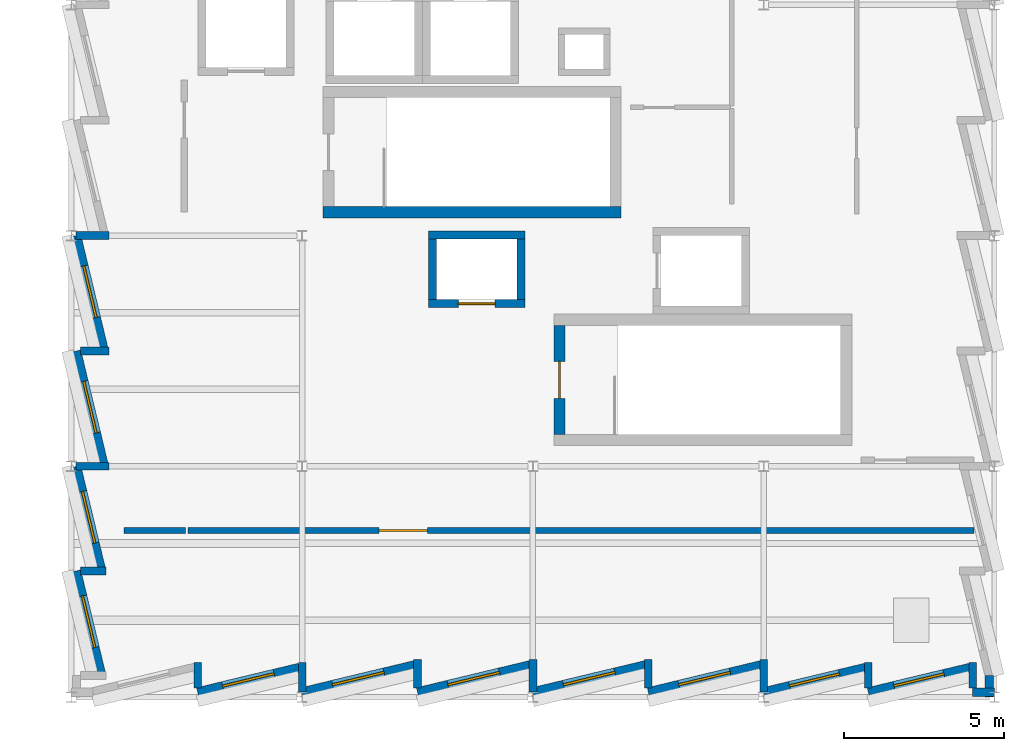
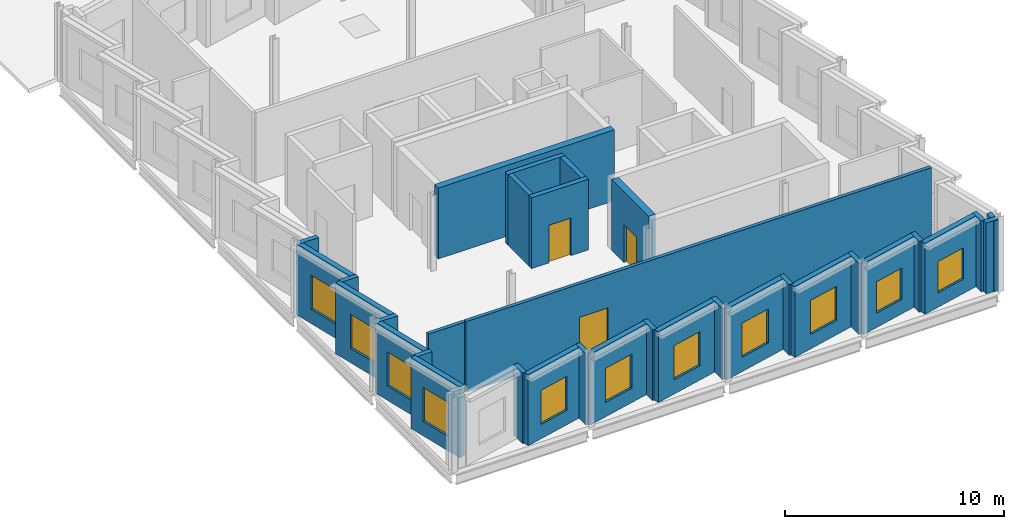
# One storey, part 5 of 9: 33 walls, 11 windows, 3 doors, 14 openings.
"""IFC4 building model written with IfcOpenShell, lengths in metres."""

import ifcopenshell
import ifcopenshell.guid

model = None  # the IFC model being written
_history = None  # IfcOwnerHistory: only IFC2X3 demands one
_inside = {}  # id of a spatial element -> (the spatial element, [elements in it])
_under = {}  # id of a project, library or spatial element -> (it, [spatial elements below it])
_declared = {}  # id of a project -> (the project, [libraries it declares])
_typed = {}  # id of a type object -> (the type object, [elements of that type])
_made_of = {}  # id of a material, layer set ... -> (it, [elements and type objects made of it])


def new_model(schema):
    """Start an empty IFC model of exactly this schema.

    Asked for "IFC4X3", IfcOpenShell would pick the latest addendum, in which some entities
    have other attributes; the version numbers below select the first issue.
    IFC2X3 requires an IfcOwnerHistory on every rooted entity: one is made here for all.
    """
    global model, _history
    if schema == "IFC4X3":
        model = ifcopenshell.file(schema_version=(4, 3, 0, 0))
    else:
        model = ifcopenshell.file(schema=schema)
    _inside.clear()
    _under.clear()
    _declared.clear()
    _typed.clear()
    _made_of.clear()
    _history = None
    if model.schema == "IFC2X3":
        org = make("IfcOrganization", Name="unknown")
        user = make(
            "IfcPersonAndOrganization",
            ThePerson=make("IfcPerson", FamilyName="unknown"),
            TheOrganization=org,
        )
        app = make(
            "IfcApplication",
            ApplicationDeveloper=org,
            Version="unknown",
            ApplicationFullName="unknown",
            ApplicationIdentifier="unknown",
        )
        _history = make(
            "IfcOwnerHistory",
            OwningUser=user,
            OwningApplication=app,
            ChangeAction="ADDED",
            CreationDate=0,
        )
    return model


def make(cls, **values):
    """One entity of the class cls with the attributes given. An attribute that is None is left unset."""
    return model.create_entity(
        cls, **{name: value for name, value in values.items() if value is not None}
    )


def rooted(cls, **values):
    """An entity with a GlobalId (a new one), such as an element, a storey or a relation."""
    return make(cls, GlobalId=ifcopenshell.guid.new(), OwnerHistory=_history, **values)


def si_unit(unit_type, name, prefix=None):
    """IfcSIUnit, for example si_unit("LENGTHUNIT", "METRE", prefix="MILLI")."""
    return make("IfcSIUnit", UnitType=unit_type, Prefix=prefix, Name=name)


def assignment(units):
    """IfcUnitAssignment: the units of a project."""
    return None if units is None else make("IfcUnitAssignment", Units=units)


def point(xyz):
    """IfcCartesianPoint."""
    return None if xyz is None else make("IfcCartesianPoint", Coordinates=xyz)


def direction(xyz):
    """IfcDirection."""
    return None if xyz is None else make("IfcDirection", DirectionRatios=xyz)


def frame(location, z_axis=None, x_axis=None):
    """IfcAxis2Placement3D, a coordinate frame: its origin and axes. An axis left out is left unset."""
    return make(
        "IfcAxis2Placement3D",
        Location=point(location),
        Axis=direction(z_axis),
        RefDirection=direction(x_axis),
    )


def frame_2d(location, x_axis=None):
    """IfcAxis2Placement2D, a coordinate frame in the plane: its origin and x axis."""
    return make(
        "IfcAxis2Placement2D", Location=point(location), RefDirection=direction(x_axis)
    )


def origin():
    """The frame at (0, 0, 0) with its axes left unset."""
    return frame((0.0, 0.0, 0.0))


def place(relative_to, where):
    """IfcLocalPlacement: puts the frame where relative to a parent placement (None: the world)."""
    return make(
        "IfcLocalPlacement", PlacementRelTo=relative_to, RelativePlacement=where
    )


def context(
    kind, dimensions, precision=None, world=None, true_north=None, identifier=None
):
    """IfcGeometricRepresentationContext, for example the 3D "Model" context."""
    return make(
        "IfcGeometricRepresentationContext",
        ContextIdentifier=identifier,
        ContextType=kind,
        CoordinateSpaceDimension=dimensions,
        Precision=precision,
        WorldCoordinateSystem=world,
        TrueNorth=true_north,
    )


def subcontext(parent, identifier, kind, view, scale=None):
    """IfcGeometricRepresentationSubContext, for example "Body" below "Model"."""
    return make(
        "IfcGeometricRepresentationSubContext",
        ContextIdentifier=identifier,
        ContextType=kind,
        ParentContext=parent,
        TargetScale=scale,
        TargetView=view,
    )


def project(units=None, contexts=None):
    """IfcProject with its units and contexts."""
    return rooted(
        "IfcProject",
        Name="project",
        RepresentationContexts=contexts,
        UnitsInContext=assignment(units),
    )


def spatial(cls, under=None, at=None, **own):
    """A site, building, storey or space (cls), placed at a placement, below another one or the project."""
    s = rooted(cls, ObjectPlacement=at, **own)
    if under is not None:
        _under.setdefault(under.id(), (under, []))[1].append(s)
    return s


def profile(cls, at=None, kind="AREA", **sizes):
    """A parametric profile (cls). Its sizes go by their IFC names, for example OverallWidth=200.0."""
    return make(cls, ProfileType=kind, Position=at, **sizes)


def rectangle(**sizes):
    """IfcRectangleProfileDef."""
    return profile("IfcRectangleProfileDef", **sizes)


def extrude(swept, where, along, depth):
    """IfcExtrudedAreaSolid: the profile swept, set in the frame where, extruded along a direction by depth."""
    return make(
        "IfcExtrudedAreaSolid",
        SweptArea=swept,
        Position=where,
        ExtrudedDirection=direction(along),
        Depth=depth,
    )


def shape(context_of_items, identifier, shape_type, items):
    """IfcShapeRepresentation: the items that make up one representation, for example the "Body"."""
    return make(
        "IfcShapeRepresentation",
        ContextOfItems=context_of_items,
        RepresentationIdentifier=identifier,
        RepresentationType=shape_type,
        Items=items,
    )


def material(Name=None, Category=None):
    """IfcMaterial."""
    return make("IfcMaterial", Name=Name, Category=Category)


def layer(
    of_material, thickness, ventilated=None, Name=None, Category=None, Priority=None
):
    """IfcMaterialLayer: one layer of a wall or slab, of a material (None: an air gap)."""
    return make(
        "IfcMaterialLayer",
        Material=of_material,
        LayerThickness=thickness,
        IsVentilated=ventilated,
        Name=Name,
        Category=Category,
        Priority=Priority,
    )


def layer_set(layers, Name=None):
    """IfcMaterialLayerSet."""
    return make("IfcMaterialLayerSet", MaterialLayers=layers, LayerSetName=Name)


def made_of(thing, what):
    """Note that an element or type object is made of a material, layer set ...; save() writes the relation."""
    if what is not None:
        _made_of.setdefault(what.id(), (what, []))[1].append(thing)
    return thing


def type_object(cls, material=None, **own):
    """A type object (cls), such as IfcWallType, which elements share."""
    return made_of(rooted(cls, **own), material)


def element(
    cls,
    number,
    at=None,
    inside=None,
    cuts=None,
    type_object=None,
    material=None,
    context=None,
    identifier="Body",
    shape_type=None,
    held_by="IfcProductDefinitionShape",
    body=None,
    shapes=None,
    **own,
):
    """One element of the class cls, such as IfcWall. Its Tag is "e" and its number.

    at: its placement. inside: the storey or other place that contains it. cuts: it is an
    opening in that element (IfcRelVoidsElement). A single representation is given by context,
    identifier, shape_type and body (its items); several are given by shapes. held_by: the class
    of the entity that holds the representations. save() writes the other relations.
    """
    e = rooted(cls, Tag="e%d" % number, ObjectPlacement=at, **own)
    if body is not None:
        shapes = [shape(context, identifier, shape_type, body)]
    if shapes is not None:
        e.Representation = make(held_by, Representations=shapes)
    if inside is not None:
        _inside.setdefault(inside.id(), (inside, []))[1].append(e)
    if cuts is not None:
        rooted(
            "IfcRelVoidsElement", RelatingBuildingElement=cuts, RelatedOpeningElement=e
        )
    if type_object is not None:
        _typed.setdefault(type_object.id(), (type_object, []))[1].append(e)
    return made_of(e, material)


def fill(opening, filler):
    """IfcRelFillsElement: the door or window that sits in an opening."""
    return rooted(
        "IfcRelFillsElement",
        RelatingOpeningElement=opening,
        RelatedBuildingElement=filler,
    )


def aggregate(whole, parts):
    """IfcRelAggregates: a whole, such as a stair, and the parts it consists of."""
    return rooted("IfcRelAggregates", RelatingObject=whole, RelatedObjects=parts)


def save(model, path):
    """Write the relations noted so far, then the file.

    IfcRelAggregates (storeys below a building ...), IfcRelContainedInSpatialStructure (elements
    in a storey), IfcRelDefinesByType, IfcRelAssociatesMaterial and IfcRelDeclares: one each for
    every whole, place, type object, material and project.
    """
    for whole, parts in _under.values():
        aggregate(whole, parts)
    for where, things in _inside.values():
        rooted(
            "IfcRelContainedInSpatialStructure",
            RelatedElements=things,
            RelatingStructure=where,
        )
    for kind, things in _typed.values():
        rooted("IfcRelDefinesByType", RelatedObjects=things, RelatingType=kind)
    for what, things in _made_of.values():
        rooted("IfcRelAssociatesMaterial", RelatedObjects=things, RelatingMaterial=what)
    for by, libraries in _declared.values():
        rooted("IfcRelDeclares", RelatingContext=by, RelatedDefinitions=libraries)
    model.write(path)


model = new_model("IFC4")

# Units and contexts
model_context = context("Model", 3, precision=1e-05, world=origin(), true_north=direction((0.0, 1.0)))
body_context = subcontext(model_context, "Body", "Model", "MODEL_VIEW")
ifc_project = project(units=[si_unit("LENGTHUNIT", "METRE"), si_unit("AREAUNIT", "SQUARE_METRE"), si_unit("VOLUMEUNIT", "CUBIC_METRE"), si_unit("PLANEANGLEUNIT", "RADIAN"), si_unit("MASSUNIT", "GRAM", prefix="KILO")], contexts=[model_context])

# Site, building, storey
site_placement = place(None, origin())
site = spatial("IfcSite", under=ifc_project, at=site_placement, CompositionType="ELEMENT")
building_placement = place(site_placement, origin())
building = spatial("IfcBuilding", under=site, at=building_placement, Name="Kalmorath City Hall", CompositionType="ELEMENT")
storey_placement = place(building_placement, frame((0.0, 0.0, 31.050048828125)))
storey = spatial("IfcBuildingStorey", under=building, at=storey_placement, Name="L07", CompositionType="ELEMENT", Elevation=31.050048828125)

# Wall
ifc_material_1 = material(Name="Concrete C50/60", Category="concrete")
ifc_layer_1 = layer(ifc_material_1, 0.35009765625)
ifc_layer_set_1 = layer_set([ifc_layer_1], Name="Concrete C50/60")
wall_type_1 = type_object("IfcWallType", Name="Concrete core shear wall 350", PredefinedType="SHEAR", material=ifc_layer_set_1)
wall_1_placement = place(storey_placement, frame((7.85009765625, 15.125, 0.0), z_axis=(0.0, 0.0, 1.0), x_axis=(1.0, 0.0, 0.0)))
element("IfcWall", 1, at=wall_1_placement, inside=storey, type_object=wall_type_1, Name="L07 C1 stair core shear wall S", PredefinedType="SHEAR", context=body_context, shape_type="SweptSolid", body=[
    extrude(rectangle(XDim=9.2998046875, YDim=0.35009765625, at=frame_2d((4.64990234375, 0.0))), origin(), (0.0, 0.0, 1.0), 3.949951171875),
])

# Wall, opening, door
wall_2_placement = place(storey_placement, frame((15.22509765625, 11.60009765625, 0.0), z_axis=(0.0, 0.0, 1.0), x_axis=(0.0, -1.0, 0.0)))
wall_2 = element("IfcWall", 2, at=wall_2_placement, inside=storey, type_object=wall_type_1, Name="L07 C2 stair core shear wall W", PredefinedType="SHEAR", context=body_context, shape_type="SweptSolid", body=[
    extrude(rectangle(XDim=3.400146484375, YDim=0.35009765625, at=frame_2d((1.7001953125, 0.0))), origin(), (0.0, 0.0, 1.0), 3.949951171875),
])
opening_1_placement = place(wall_2_placement, frame((1.125, 0.0, 0.0)))
opening_1 = element("IfcOpeningElement", 3, at=opening_1_placement, cuts=wall_2, Name="Opening D-L07-045", PredefinedType="OPENING", context=body_context, shape_type="SweptSolid", body=[
    extrude(rectangle(XDim=1.14990234375, YDim=2.10009765625, at=frame_2d((0.574951171875, 1.050048828125))), frame((0.0, 0.18505859375, 0.0), z_axis=(0.0, -1.0, 0.0), x_axis=(1.0, 0.0, 0.0)), (0.0, 0.0, 1.0), 0.3701171875),
])
ifc_material_2 = material(Name="Galvanised steel fire door", Category="steel")
door_type_1 = type_object("IfcDoorType", Name="Stair enclosure 90-min fire door 1150x2100", OperationType="NOTDEFINED", PredefinedType="DOOR", material=ifc_material_2)
door_1_placement = place(opening_1_placement, frame((1.14990234375, 0.0, 0.0), z_axis=(0.0, 0.0, 1.0), x_axis=(-1.0, 0.0, 0.0)))
door_1 = element("IfcDoor", 4, at=door_1_placement, inside=storey, type_object=door_type_1, Name="L07 door D-L07-045", OperationType="SINGLE_SWING_LEFT", OverallHeight=2.10009765625, OverallWidth=1.14990234375, PredefinedType="DOOR", context=body_context, shape_type="SweptSolid", body=[
    extrude(rectangle(XDim=1.14990234375, YDim=2.10009765625, at=frame_2d((0.574951171875, 1.050048828125))), frame((0.0, 0.02490234375, 0.0), z_axis=(0.0, -1.0, 0.0), x_axis=(1.0, 0.0, 0.0)), (0.0, 0.0, 1.0), 0.050048828125),
])
fill(opening_1, door_1)

ifc_material_3 = material(Name="Concrete C50/60", Category="concrete")
ifc_layer_2 = layer(ifc_material_3, 0.25)
ifc_layer_set_2 = layer_set([ifc_layer_2], Name="Concrete C50/60")
wall_type_2 = type_object("IfcWallType", Name="Concrete lift shaft wall 250", PredefinedType="SHEAR", material=ifc_layer_set_2)
wall_3_placement = place(storey_placement, frame((11.14990234375, 12.27490234375, 0.0), z_axis=(0.0, 0.0, 1.0), x_axis=(1.0, 0.0, 0.0)))
wall_3 = element("IfcWall", 5, at=wall_3_placement, inside=storey, type_object=wall_type_2, Name="L07 FL2 lift shaft wall -y", PredefinedType="SHEAR", context=body_context, shape_type="SweptSolid", body=[
    extrude(rectangle(XDim=3.0, YDim=0.25, at=frame_2d((1.5, 0.0))), origin(), (0.0, 0.0, 1.0), 3.949951171875),
])
opening_2_placement = place(wall_3_placement, frame((0.925048828125, 0.0, 0.0)))
opening_2 = element("IfcOpeningElement", 6, at=opening_2_placement, cuts=wall_3, Name="Opening LD-054", PredefinedType="OPENING", context=body_context, shape_type="SweptSolid", body=[
    extrude(rectangle(XDim=1.14990234375, YDim=2.10009765625, at=frame_2d((0.574951171875, 1.050048828125))), frame((0.0, 0.135009765625, 0.0), z_axis=(0.0, -1.0, 0.0), x_axis=(1.0, 0.0, 0.0)), (0.0, 0.0, 1.0), 0.27001953125),
])
ifc_material_4 = material(Name="Stainless steel sliding landing door", Category="steel")
door_type_2 = type_object("IfcDoorType", Name="Firefighting lift sliding landing door 1150x2100", OperationType="SLIDING_TO_RIGHT", PredefinedType="DOOR", material=ifc_material_4)
door_2_placement = place(opening_2_placement, origin())
door_2 = element("IfcDoor", 7, at=door_2_placement, inside=storey, type_object=door_type_2, Name="L07 door LD-054", OperationType="SLIDING_TO_RIGHT", OverallHeight=2.10009765625, OverallWidth=1.14990234375, PredefinedType="DOOR", context=body_context, shape_type="SweptSolid", body=[
    extrude(rectangle(XDim=1.14990234375, YDim=2.10009765625, at=frame_2d((0.574951171875, 1.050048828125))), frame((0.0, 0.02490234375, 0.0), z_axis=(0.0, -1.0, 0.0), x_axis=(1.0, 0.0, 0.0)), (0.0, 0.0, 1.0), 0.050048828125),
])
fill(opening_2, door_2)

# Walls
wall_4_placement = place(storey_placement, frame((14.14990234375, 14.425048828125, 0.0), z_axis=(0.0, 0.0, 1.0), x_axis=(-1.0, 0.0, 0.0)))
element("IfcWall", 8, at=wall_4_placement, inside=storey, type_object=wall_type_2, Name="L07 FL2 lift shaft wall +y", PredefinedType="SHEAR", context=body_context, shape_type="SweptSolid", body=[
    extrude(rectangle(XDim=3.0, YDim=0.25, at=frame_2d((1.5, 0.0))), origin(), (0.0, 0.0, 1.0), 3.949951171875),
])
for number, where, z_axis, x_axis, name in (
    (9, (11.27490234375, 14.300048828125, 0.0), (0.0, 0.0, 1.0), (0.0, -1.0, 0.0), "L07 FL2 lift shaft wall -x"),
    (10, (14.02490234375, 12.39990234375, 0.0), (0.0, 0.0, 1.0), (0.0, 1.0, 0.0), "L07 FL2 lift shaft wall +x"),
):
    element("IfcWall", number, at=place(storey_placement, frame(where, z_axis=z_axis, x_axis=x_axis)), inside=storey, type_object=wall_type_2, Name=name, PredefinedType="SHEAR", context=body_context, shape_type="SweptSolid", body=[
        extrude(rectangle(XDim=1.900146484375, YDim=0.25, at=frame_2d((0.9501953125, 0.0))), origin(), (0.0, 0.0, 1.0), 3.949951171875),
    ])
ifc_material_5 = material(Name="Fire-rated acoustic gypsum partition")
ifc_layer_3 = layer(ifc_material_5, 0.179931640625)
ifc_layer_set_3 = layer_set([ifc_layer_3], Name="Fire-rated acoustic gypsum partition")
wall_type_3 = type_object("IfcWallType", Name="One-hour corridor fire partition 180", PredefinedType="PARTITIONING", material=ifc_layer_set_3)
wall_5_placement = place(storey_placement, frame((1.639892578125, 5.199951171875, 0.0), z_axis=(0.0, 0.0, 1.0), x_axis=(1.0, 0.0, 0.0)))
element("IfcWall", 11, at=wall_5_placement, inside=storey, type_object=wall_type_3, Name="L07 interior partition PW2 #201", PredefinedType="PARTITIONING", context=body_context, shape_type="SweptSolid", body=[
    extrude(rectangle(XDim=1.920166015625, YDim=0.179931640625, at=frame_2d((0.9599609375, 0.0))), origin(), (0.0, 0.0, 1.0), 3.949951171875),
])

# Wall, opening, door
wall_6_placement = place(storey_placement, frame((3.639892578125, 5.199951171875, 0.0), z_axis=(0.0, 0.0, 1.0), x_axis=(1.0, 0.0, 0.0)))
wall_6 = element("IfcWall", 12, at=wall_6_placement, inside=storey, type_object=wall_type_3, Name="L07 interior partition PW2 #206", PredefinedType="PARTITIONING", context=body_context, shape_type="SweptSolid", body=[
    extrude(rectangle(XDim=24.52001953125, YDim=0.179931640625, at=frame_2d((12.260009765625, 0.0))), origin(), (0.0, 0.0, 1.0), 3.949951171875),
])
opening_3_placement = place(wall_6_placement, frame((5.965087890625, 0.0, 0.0)))
opening_3 = element("IfcOpeningElement", 13, at=opening_3_placement, cuts=wall_6, Name="Opening D-L07-272", PredefinedType="OPENING", context=body_context, shape_type="SweptSolid", body=[
    extrude(rectangle(XDim=1.5, YDim=2.10009765625, at=frame_2d((0.75, 1.050048828125))), frame((0.0, 0.099853515625, 0.0), z_axis=(0.0, -1.0, 0.0), x_axis=(1.0, 0.0, 0.0)), (0.0, 0.0, 1.0), 0.199951171875),
])
ifc_material_6 = material(Name="Hardwood veneer door", Category="wood")
door_type_3 = type_object("IfcDoorType", Name="Conference suite double door 1500x2100", OperationType="DOUBLE_DOOR_SINGLE_SWING", PredefinedType="DOOR", material=ifc_material_6)
door_3_placement = place(opening_3_placement, origin())
door_3 = element("IfcDoor", 14, at=door_3_placement, inside=storey, type_object=door_type_3, Name="L07 door D-L07-272", OperationType="DOUBLE_DOOR_SINGLE_SWING", OverallHeight=2.10009765625, OverallWidth=1.5, PredefinedType="DOOR", context=body_context, shape_type="SweptSolid", body=[
    extrude(rectangle(XDim=1.5, YDim=2.10009765625, at=frame_2d((0.75, 1.050048828125))), frame((0.0, 0.02490234375, 0.0), z_axis=(0.0, -1.0, 0.0), x_axis=(1.0, 0.0, 0.0)), (0.0, 0.0, 1.0), 0.050048828125),
])
fill(opening_3, door_3)

# Walls
ifc_material_7 = material(Name="Precast concrete C40/50", Category="concrete")
ifc_layer_4 = layer(ifc_material_7, 0.239990234375)
ifc_layer_set_4 = layer_set([ifc_layer_4], Name="Precast concrete C40/50")
wall_type_4 = type_object("IfcWallType", Name="Precast sawtooth cheek wall 240", PredefinedType="SOLIDWALL", material=ifc_layer_set_4)
wall_7_placement = place(storey_placement, frame((3.93994140625, 1.087646484375, 0.0), z_axis=(0.0, 0.0, 1.0), x_axis=(0.0, -1.0, 0.0)))
element("IfcWall", 15, at=wall_7_placement, inside=storey, type_object=wall_type_4, Name="L07 sawtooth return cheek #1050", PredefinedType="SOLIDWALL", context=body_context, shape_type="SweptSolid", body=[
    extrude(rectangle(XDim=0.795654296875, YDim=0.239990234375, at=frame_2d((0.39794921875, 0.0))), origin(), (0.0, 0.0, 1.0), 3.949951171875),
])
wall_8_placement = place(storey_placement, frame((7.199951171875, 1.087646484375, 0.0), z_axis=(0.0, 0.0, 1.0), x_axis=(0.0, -1.0, 0.0)))
element("IfcWall", 16, at=wall_8_placement, inside=storey, type_object=wall_type_4, Name="L07 sawtooth return cheek #1052", PredefinedType="SOLIDWALL", context=body_context, shape_type="SweptSolid", body=[
    extrude(rectangle(XDim=0.931640625, YDim=0.239990234375, at=frame_2d((0.4658203125, 0.0))), origin(), (0.0, 0.0, 1.0), 3.949951171875),
])
wall_9_placement = place(storey_placement, frame((10.800048828125, 1.169189453125, 0.0), z_axis=(0.0, 0.0, 1.0), x_axis=(0.0, -1.0, 0.0)))
element("IfcWall", 17, at=wall_9_placement, inside=storey, type_object=wall_type_4, Name="L07 sawtooth return cheek #1054", PredefinedType="SOLIDWALL", context=body_context, shape_type="SweptSolid", body=[
    extrude(rectangle(XDim=0.877197265625, YDim=0.239990234375, at=frame_2d((0.4384765625, 0.0))), origin(), (0.0, 0.0, 1.0), 3.949951171875),
])
wall_10_placement = place(storey_placement, frame((14.39990234375, 1.169189453125, 0.0), z_axis=(0.0, 0.0, 1.0), x_axis=(0.0, -1.0, 0.0)))
element("IfcWall", 18, at=wall_10_placement, inside=storey, type_object=wall_type_4, Name="L07 sawtooth return cheek #1056", PredefinedType="SOLIDWALL", context=body_context, shape_type="SweptSolid", body=[
    extrude(rectangle(XDim=1.01318359375, YDim=0.239990234375, at=frame_2d((0.506591796875, 0.0))), origin(), (0.0, 0.0, 1.0), 3.949951171875),
])
wall_11_placement = place(storey_placement, frame((18.0, 1.169189453125, 0.0), z_axis=(0.0, 0.0, 1.0), x_axis=(0.0, -1.0, 0.0)))
element("IfcWall", 19, at=wall_11_placement, inside=storey, type_object=wall_type_4, Name="L07 sawtooth return cheek #1058", PredefinedType="SOLIDWALL", context=body_context, shape_type="SweptSolid", body=[
    extrude(rectangle(XDim=0.877197265625, YDim=0.239990234375, at=frame_2d((0.4384765625, 0.0))), origin(), (0.0, 0.0, 1.0), 3.949951171875),
])
wall_12_placement = place(storey_placement, frame((21.60009765625, 1.169189453125, 0.0), z_axis=(0.0, 0.0, 1.0), x_axis=(0.0, -1.0, 0.0)))
element("IfcWall", 20, at=wall_12_placement, inside=storey, type_object=wall_type_4, Name="L07 sawtooth return cheek #1060", PredefinedType="SOLIDWALL", context=body_context, shape_type="SweptSolid", body=[
    extrude(rectangle(XDim=1.01318359375, YDim=0.239990234375, at=frame_2d((0.506591796875, 0.0))), origin(), (0.0, 0.0, 1.0), 3.949951171875),
])
wall_13_placement = place(storey_placement, frame((24.860107421875, 1.087646484375, 0.0), z_axis=(0.0, 0.0, 1.0), x_axis=(0.0, -1.0, 0.0)))
element("IfcWall", 21, at=wall_13_placement, inside=storey, type_object=wall_type_4, Name="L07 sawtooth return cheek #1063", PredefinedType="SOLIDWALL", context=body_context, shape_type="SweptSolid", body=[
    extrude(rectangle(XDim=0.795654296875, YDim=0.239990234375, at=frame_2d((0.39794921875, 0.0))), origin(), (0.0, 0.0, 1.0), 3.949951171875),
])
wall_14_placement = place(storey_placement, frame((28.1201171875, 1.087646484375, 0.0), z_axis=(0.0, 0.0, 1.0), x_axis=(0.0, -1.0, 0.0)))
element("IfcWall", 22, at=wall_14_placement, inside=storey, type_object=wall_type_4, Name="L07 sawtooth return cheek #1065", PredefinedType="SOLIDWALL", context=body_context, shape_type="SweptSolid", body=[
    extrude(rectangle(XDim=0.8056640625, YDim=0.239990234375, at=frame_2d((0.40283203125, 0.0))), origin(), (0.0, 0.0, 1.0), 3.949951171875),
])
wall_15_placement = place(storey_placement, frame((1.169189453125, 14.39990234375, 0.0), z_axis=(0.0, 0.0, 1.0), x_axis=(-1.0, 0.0, 0.0)))
element("IfcWall", 23, at=wall_15_placement, inside=storey, type_object=wall_type_4, Name="L07 sawtooth return cheek #1112", PredefinedType="SOLIDWALL", context=body_context, shape_type="SweptSolid", body=[
    extrude(rectangle(XDim=1.0146484375, YDim=0.239990234375, at=frame_2d((0.50732421875, 0.0))), origin(), (0.0, 0.0, 1.0), 3.949951171875),
])
wall_16_placement = place(storey_placement, frame((1.169189453125, 10.800048828125, 0.0), z_axis=(0.0, 0.0, 1.0), x_axis=(-1.0, 0.0, 0.0)))
element("IfcWall", 24, at=wall_16_placement, inside=storey, type_object=wall_type_4, Name="L07 sawtooth return cheek #1114", PredefinedType="SOLIDWALL", context=body_context, shape_type="SweptSolid", body=[
    extrude(rectangle(XDim=0.877197265625, YDim=0.239990234375, at=frame_2d((0.4384765625, 0.0))), origin(), (0.0, 0.0, 1.0), 3.949951171875),
])
wall_17_placement = place(storey_placement, frame((1.169189453125, 7.199951171875, 0.0), z_axis=(0.0, 0.0, 1.0), x_axis=(-1.0, 0.0, 0.0)))
element("IfcWall", 25, at=wall_17_placement, inside=storey, type_object=wall_type_4, Name="L07 sawtooth return cheek #1116", PredefinedType="SOLIDWALL", context=body_context, shape_type="SweptSolid", body=[
    extrude(rectangle(XDim=1.0146484375, YDim=0.239990234375, at=frame_2d((0.50732421875, 0.0))), origin(), (0.0, 0.0, 1.0), 3.949951171875),
])
wall_18_placement = place(storey_placement, frame((1.087646484375, 3.93994140625, 0.0), z_axis=(0.0, 0.0, 1.0), x_axis=(-1.0, 0.0, 0.0)))
element("IfcWall", 26, at=wall_18_placement, inside=storey, type_object=wall_type_4, Name="L07 sawtooth return cheek #1119", PredefinedType="SOLIDWALL", context=body_context, shape_type="SweptSolid", body=[
    extrude(rectangle(XDim=0.795654296875, YDim=0.239990234375, at=frame_2d((0.39794921875, 0.0))), origin(), (0.0, 0.0, 1.0), 3.949951171875),
])

# Wall, opening, window
ifc_material_8 = material(Name="Precast concrete C40/50", Category="concrete")
ifc_layer_5 = layer(ifc_material_8, 0.280029296875)
ifc_layer_set_5 = layer_set([ifc_layer_5], Name="Precast concrete C40/50")
wall_type_5 = type_object("IfcWallType", Name="Precast sawtooth facade wall 280", PredefinedType="SOLIDWALL", material=ifc_layer_set_5)
wall_19_placement = place(storey_placement, frame((3.93994140625, 0.159912109375, 0.0), z_axis=(0.0, 0.0, 1.0), x_axis=(0.972370292931, 0.233443812137, 0.0)))
wall_19 = element("IfcWall", 27, at=wall_19_placement, inside=storey, type_object=wall_type_5, Name="L07 sawtooth precast frame #1051", PredefinedType="SOLIDWALL", context=body_context, shape_type="SweptSolid", body=[
    extrude(rectangle(XDim=3.2578125, YDim=0.280029296875, at=frame_2d((1.62890625, 0.0))), origin(), (0.0, 0.0, 1.0), 3.949951171875),
])
opening_4_placement = place(wall_19_placement, frame((0.8037109375, 0.0, 0.800048828125)))
opening_4 = element("IfcOpeningElement", 28, at=opening_4_placement, cuts=wall_19, Name="Opening WN2", PredefinedType="OPENING", context=body_context, shape_type="SweptSolid", body=[
    extrude(rectangle(XDim=1.64990234375, YDim=1.89990234375, at=frame_2d((0.824951171875, 0.949951171875))), frame((0.0, 0.14990234375, 0.0), z_axis=(0.0, -1.0, 0.0), x_axis=(1.0, 0.0, 0.0)), (0.0, 0.0, 1.0), 0.300048828125),
])
ifc_material_9 = material(Name="Aluminium and laminated glass", Category="aluminium")
window_type_1 = type_object("IfcWindowType", Name="Sawtooth hurricane window 1650x1900", PartitioningType="SINGLE_PANEL", PredefinedType="WINDOW", material=ifc_material_9)
window_1_placement = place(opening_4_placement, origin())
window_1 = element("IfcWindow", 29, at=window_1_placement, inside=storey, type_object=window_type_1, Name="L07 window WN2-537", OverallHeight=1.89990234375, OverallWidth=1.64990234375, PartitioningType="SINGLE_PANEL", PredefinedType="WINDOW", context=body_context, shape_type="SweptSolid", body=[
    extrude(rectangle(XDim=1.64990234375, YDim=1.89990234375, at=frame_2d((0.824951171875, 0.949951171875))), frame((0.0, 0.030029296875, 0.0), z_axis=(0.0, -1.0, 0.0), x_axis=(1.0, 0.0, 0.0)), (0.0, 0.0, 1.0), 0.06005859375),
])
fill(opening_4, window_1)

wall_20_placement = place(storey_placement, frame((7.199951171875, 0.159912109375, 0.0), z_axis=(0.0, 0.0, 1.0), x_axis=(0.972357805829, 0.233495818898, 0.0)))
wall_20 = element("IfcWall", 30, at=wall_20_placement, inside=storey, type_object=wall_type_5, Name="L07 sawtooth precast frame #1053", PredefinedType="SOLIDWALL", context=body_context, shape_type="SweptSolid", body=[
    extrude(rectangle(XDim=3.607177734375, YDim=0.280029296875, at=frame_2d((1.8037109375, 0.0))), origin(), (0.0, 0.0, 1.0), 3.949951171875),
])
opening_5_placement = place(wall_20_placement, frame((0.978515625, 0.0, 0.800048828125)))
opening_5 = element("IfcOpeningElement", 31, at=opening_5_placement, cuts=wall_20, Name="Opening WN2", PredefinedType="OPENING", context=body_context, shape_type="SweptSolid", body=[
    extrude(rectangle(XDim=1.64990234375, YDim=1.89990234375, at=frame_2d((0.824951171875, 0.949951171875))), frame((0.0, 0.14990234375, 0.0), z_axis=(0.0, -1.0, 0.0), x_axis=(1.0, 0.0, 0.0)), (0.0, 0.0, 1.0), 0.300048828125),
])
window_2_placement = place(opening_5_placement, origin())
window_2 = element("IfcWindow", 32, at=window_2_placement, inside=storey, type_object=window_type_1, Name="L07 window WN2-538", OverallHeight=1.89990234375, OverallWidth=1.64990234375, PartitioningType="SINGLE_PANEL", PredefinedType="WINDOW", context=body_context, shape_type="SweptSolid", body=[
    extrude(rectangle(XDim=1.64990234375, YDim=1.89990234375, at=frame_2d((0.824951171875, 0.949951171875))), frame((0.0, 0.030029296875, 0.0), z_axis=(0.0, -1.0, 0.0), x_axis=(1.0, 0.0, 0.0)), (0.0, 0.0, 1.0), 0.06005859375),
])
fill(opening_5, window_2)

wall_21_placement = place(storey_placement, frame((10.800048828125, 0.159912109375, 0.0), z_axis=(0.0, 0.0, 1.0), x_axis=(0.972357805829, 0.233495818898, 0.0)))
wall_21 = element("IfcWall", 33, at=wall_21_placement, inside=storey, type_object=wall_type_5, Name="L07 sawtooth precast frame #1055", PredefinedType="SOLIDWALL", context=body_context, shape_type="SweptSolid", body=[
    extrude(rectangle(XDim=3.607177734375, YDim=0.280029296875, at=frame_2d((1.8037109375, 0.0))), origin(), (0.0, 0.0, 1.0), 3.949951171875),
])
opening_6_placement = place(wall_21_placement, frame((0.978515625, 0.0, 0.800048828125)))
opening_6 = element("IfcOpeningElement", 34, at=opening_6_placement, cuts=wall_21, Name="Opening WN2", PredefinedType="OPENING", context=body_context, shape_type="SweptSolid", body=[
    extrude(rectangle(XDim=1.64990234375, YDim=1.89990234375, at=frame_2d((0.824951171875, 0.949951171875))), frame((0.0, 0.14990234375, 0.0), z_axis=(0.0, -1.0, 0.0), x_axis=(1.0, 0.0, 0.0)), (0.0, 0.0, 1.0), 0.300048828125),
])
window_3_placement = place(opening_6_placement, origin())
window_3 = element("IfcWindow", 35, at=window_3_placement, inside=storey, type_object=window_type_1, Name="L07 window WN2-539", OverallHeight=1.89990234375, OverallWidth=1.64990234375, PartitioningType="SINGLE_PANEL", PredefinedType="WINDOW", context=body_context, shape_type="SweptSolid", body=[
    extrude(rectangle(XDim=1.64990234375, YDim=1.89990234375, at=frame_2d((0.824951171875, 0.949951171875))), frame((0.0, 0.030029296875, 0.0), z_axis=(0.0, -1.0, 0.0), x_axis=(1.0, 0.0, 0.0)), (0.0, 0.0, 1.0), 0.06005859375),
])
fill(opening_6, window_3)

wall_22_placement = place(storey_placement, frame((14.39990234375, 0.159912109375, 0.0), z_axis=(0.0, 0.0, 1.0), x_axis=(0.972361495396, 0.233480453725, 0.0)))
wall_22 = element("IfcWall", 36, at=wall_22_placement, inside=storey, type_object=wall_type_5, Name="L07 sawtooth precast frame #1057", PredefinedType="SOLIDWALL", context=body_context, shape_type="SweptSolid", body=[
    extrude(rectangle(XDim=3.607421875, YDim=0.280029296875, at=frame_2d((1.8037109375, 0.0))), origin(), (0.0, 0.0, 1.0), 3.949951171875),
])
opening_7_placement = place(wall_22_placement, frame((0.978515625, 0.0, 0.800048828125)))
opening_7 = element("IfcOpeningElement", 37, at=opening_7_placement, cuts=wall_22, Name="Opening WN2", PredefinedType="OPENING", context=body_context, shape_type="SweptSolid", body=[
    extrude(rectangle(XDim=1.64990234375, YDim=1.89990234375, at=frame_2d((0.824951171875, 0.949951171875))), frame((0.0, 0.14990234375, 0.0), z_axis=(0.0, -1.0, 0.0), x_axis=(1.0, 0.0, 0.0)), (0.0, 0.0, 1.0), 0.300048828125),
])
window_4_placement = place(opening_7_placement, origin())
window_4 = element("IfcWindow", 38, at=window_4_placement, inside=storey, type_object=window_type_1, Name="L07 window WN2-540", OverallHeight=1.89990234375, OverallWidth=1.64990234375, PartitioningType="SINGLE_PANEL", PredefinedType="WINDOW", context=body_context, shape_type="SweptSolid", body=[
    extrude(rectangle(XDim=1.64990234375, YDim=1.89990234375, at=frame_2d((0.824951171875, 0.949951171875))), frame((0.0, 0.030029296875, 0.0), z_axis=(0.0, -1.0, 0.0), x_axis=(1.0, 0.0, 0.0)), (0.0, 0.0, 1.0), 0.06005859375),
])
fill(opening_7, window_4)

wall_23_placement = place(storey_placement, frame((18.0, 0.159912109375, 0.0), z_axis=(0.0, 0.0, 1.0), x_axis=(0.972357805829, 0.233495818898, 0.0)))
wall_23 = element("IfcWall", 39, at=wall_23_placement, inside=storey, type_object=wall_type_5, Name="L07 sawtooth precast frame #1059", PredefinedType="SOLIDWALL", context=body_context, shape_type="SweptSolid", body=[
    extrude(rectangle(XDim=3.607177734375, YDim=0.280029296875, at=frame_2d((1.8037109375, 0.0))), origin(), (0.0, 0.0, 1.0), 3.949951171875),
])
opening_8_placement = place(wall_23_placement, frame((0.978515625, 0.0, 0.800048828125)))
opening_8 = element("IfcOpeningElement", 40, at=opening_8_placement, cuts=wall_23, Name="Opening WN2", PredefinedType="OPENING", context=body_context, shape_type="SweptSolid", body=[
    extrude(rectangle(XDim=1.64990234375, YDim=1.89990234375, at=frame_2d((0.824951171875, 0.949951171875))), frame((0.0, 0.14990234375, 0.0), z_axis=(0.0, -1.0, 0.0), x_axis=(1.0, 0.0, 0.0)), (0.0, 0.0, 1.0), 0.300048828125),
])
window_5_placement = place(opening_8_placement, origin())
window_5 = element("IfcWindow", 41, at=window_5_placement, inside=storey, type_object=window_type_1, Name="L07 window WN2-541", OverallHeight=1.89990234375, OverallWidth=1.64990234375, PartitioningType="SINGLE_PANEL", PredefinedType="WINDOW", context=body_context, shape_type="SweptSolid", body=[
    extrude(rectangle(XDim=1.64990234375, YDim=1.89990234375, at=frame_2d((0.824951171875, 0.949951171875))), frame((0.0, 0.030029296875, 0.0), z_axis=(0.0, -1.0, 0.0), x_axis=(1.0, 0.0, 0.0)), (0.0, 0.0, 1.0), 0.06005859375),
])
fill(opening_8, window_5)

wall_24_placement = place(storey_placement, frame((21.60009765625, 0.159912109375, 0.0), z_axis=(0.0, 0.0, 1.0), x_axis=(0.972366208453, 0.233460824675, 0.0)))
wall_24 = element("IfcWall", 42, at=wall_24_placement, inside=storey, type_object=wall_type_5, Name="L07 sawtooth precast frame #1062", PredefinedType="SOLIDWALL", context=body_context, shape_type="SweptSolid", body=[
    extrude(rectangle(XDim=3.257568359375, YDim=0.280029296875, at=frame_2d((1.62890625, 0.0))), origin(), (0.0, 0.0, 1.0), 3.949951171875),
])
opening_9_placement = place(wall_24_placement, frame((0.828857421875, 0.0, 0.800048828125)))
opening_9 = element("IfcOpeningElement", 43, at=opening_9_placement, cuts=wall_24, Name="Opening WN3", PredefinedType="OPENING", context=body_context, shape_type="SweptSolid", body=[
    extrude(rectangle(XDim=1.60009765625, YDim=1.75, at=frame_2d((0.800048828125, 0.875))), frame((0.0, 0.14990234375, 0.0), z_axis=(0.0, -1.0, 0.0), x_axis=(1.0, 0.0, 0.0)), (0.0, 0.0, 1.0), 0.300048828125),
])
ifc_material_10 = material(Name="Aluminium and laminated glass", Category="aluminium")
window_type_2 = type_object("IfcWindowType", Name="Sawtooth upper window 1600x1750", PartitioningType="SINGLE_PANEL", PredefinedType="WINDOW", material=ifc_material_10)
window_6_placement = place(opening_9_placement, origin())
window_6 = element("IfcWindow", 44, at=window_6_placement, inside=storey, type_object=window_type_2, Name="L07 window WN3-542", OverallHeight=1.75, OverallWidth=1.60009765625, PartitioningType="SINGLE_PANEL", PredefinedType="WINDOW", context=body_context, shape_type="SweptSolid", body=[
    extrude(rectangle(XDim=1.60009765625, YDim=1.75, at=frame_2d((0.800048828125, 0.875))), frame((0.0, 0.030029296875, 0.0), z_axis=(0.0, -1.0, 0.0), x_axis=(1.0, 0.0, 0.0)), (0.0, 0.0, 1.0), 0.06005859375),
])
fill(opening_9, window_6)

wall_25_placement = place(storey_placement, frame((24.860107421875, 0.159912109375, 0.0), z_axis=(0.0, 0.0, 1.0), x_axis=(0.972366208453, 0.233460824675, 0.0)))
wall_25 = element("IfcWall", 45, at=wall_25_placement, inside=storey, type_object=wall_type_5, Name="L07 sawtooth precast frame #1064", PredefinedType="SOLIDWALL", context=body_context, shape_type="SweptSolid", body=[
    extrude(rectangle(XDim=3.257568359375, YDim=0.280029296875, at=frame_2d((1.62890625, 0.0))), origin(), (0.0, 0.0, 1.0), 3.949951171875),
])
opening_10_placement = place(wall_25_placement, frame((0.828857421875, 0.0, 0.800048828125)))
opening_10 = element("IfcOpeningElement", 46, at=opening_10_placement, cuts=wall_25, Name="Opening WN3", PredefinedType="OPENING", context=body_context, shape_type="SweptSolid", body=[
    extrude(rectangle(XDim=1.60009765625, YDim=1.75, at=frame_2d((0.800048828125, 0.875))), frame((0.0, 0.14990234375, 0.0), z_axis=(0.0, -1.0, 0.0), x_axis=(1.0, 0.0, 0.0)), (0.0, 0.0, 1.0), 0.300048828125),
])
window_7_placement = place(opening_10_placement, origin())
window_7 = element("IfcWindow", 47, at=window_7_placement, inside=storey, type_object=window_type_2, Name="L07 window WN3-543", OverallHeight=1.75, OverallWidth=1.60009765625, PartitioningType="SINGLE_PANEL", PredefinedType="WINDOW", context=body_context, shape_type="SweptSolid", body=[
    extrude(rectangle(XDim=1.60009765625, YDim=1.75, at=frame_2d((0.800048828125, 0.875))), frame((0.0, 0.030029296875, 0.0), z_axis=(0.0, -1.0, 0.0), x_axis=(1.0, 0.0, 0.0)), (0.0, 0.0, 1.0), 0.06005859375),
])
fill(opening_10, window_7)

wall_26_placement = place(storey_placement, frame((0.159912109375, 14.39990234375, 0.0), z_axis=(0.0, 0.0, 1.0), x_axis=(0.233495818898, -0.972357805829, 0.0)))
wall_26 = element("IfcWall", 48, at=wall_26_placement, inside=storey, type_object=wall_type_5, Name="L07 sawtooth precast frame #1113", PredefinedType="SOLIDWALL", context=body_context, shape_type="SweptSolid", body=[
    extrude(rectangle(XDim=3.607177734375, YDim=0.280029296875, at=frame_2d((1.8037109375, 0.0))), origin(), (0.0, 0.0, 1.0), 3.949951171875),
])
opening_11_placement = place(wall_26_placement, frame((0.978515625, 0.0, 0.800048828125)))
opening_11 = element("IfcOpeningElement", 49, at=opening_11_placement, cuts=wall_26, Name="Opening WN2", PredefinedType="OPENING", context=body_context, shape_type="SweptSolid", body=[
    extrude(rectangle(XDim=1.64990234375, YDim=1.89990234375, at=frame_2d((0.824951171875, 0.949951171875))), frame((0.0, 0.14990234375, 0.0), z_axis=(0.0, -1.0, 0.0), x_axis=(1.0, 0.0, 0.0)), (0.0, 0.0, 1.0), 0.300048828125),
])
window_8_placement = place(opening_11_placement, origin())
window_8 = element("IfcWindow", 50, at=window_8_placement, inside=storey, type_object=window_type_1, Name="L07 window WN2-566", OverallHeight=1.89990234375, OverallWidth=1.64990234375, PartitioningType="SINGLE_PANEL", PredefinedType="WINDOW", context=body_context, shape_type="SweptSolid", body=[
    extrude(rectangle(XDim=1.64990234375, YDim=1.89990234375, at=frame_2d((0.824951171875, 0.949951171875))), frame((0.0, 0.030029296875, 0.0), z_axis=(0.0, -1.0, 0.0), x_axis=(1.0, 0.0, 0.0)), (0.0, 0.0, 1.0), 0.06005859375),
])
fill(opening_11, window_8)

wall_27_placement = place(storey_placement, frame((0.159912109375, 10.800048828125, 0.0), z_axis=(0.0, 0.0, 1.0), x_axis=(0.233495818898, -0.972357805829, 0.0)))
wall_27 = element("IfcWall", 51, at=wall_27_placement, inside=storey, type_object=wall_type_5, Name="L07 sawtooth precast frame #1115", PredefinedType="SOLIDWALL", context=body_context, shape_type="SweptSolid", body=[
    extrude(rectangle(XDim=3.607177734375, YDim=0.280029296875, at=frame_2d((1.8037109375, 0.0))), origin(), (0.0, 0.0, 1.0), 3.949951171875),
])
opening_12_placement = place(wall_27_placement, frame((0.978515625, 0.0, 0.800048828125)))
opening_12 = element("IfcOpeningElement", 52, at=opening_12_placement, cuts=wall_27, Name="Opening WN2", PredefinedType="OPENING", context=body_context, shape_type="SweptSolid", body=[
    extrude(rectangle(XDim=1.64990234375, YDim=1.89990234375, at=frame_2d((0.824951171875, 0.949951171875))), frame((0.0, 0.14990234375, 0.0), z_axis=(0.0, -1.0, 0.0), x_axis=(1.0, 0.0, 0.0)), (0.0, 0.0, 1.0), 0.300048828125),
])
window_9_placement = place(opening_12_placement, origin())
window_9 = element("IfcWindow", 53, at=window_9_placement, inside=storey, type_object=window_type_1, Name="L07 window WN2-567", OverallHeight=1.89990234375, OverallWidth=1.64990234375, PartitioningType="SINGLE_PANEL", PredefinedType="WINDOW", context=body_context, shape_type="SweptSolid", body=[
    extrude(rectangle(XDim=1.64990234375, YDim=1.89990234375, at=frame_2d((0.824951171875, 0.949951171875))), frame((0.0, 0.030029296875, 0.0), z_axis=(0.0, -1.0, 0.0), x_axis=(1.0, 0.0, 0.0)), (0.0, 0.0, 1.0), 0.06005859375),
])
fill(opening_12, window_9)

wall_28_placement = place(storey_placement, frame((0.159912109375, 7.199951171875, 0.0), z_axis=(0.0, 0.0, 1.0), x_axis=(0.233460824675, -0.972366208453, 0.0)))
wall_28 = element("IfcWall", 54, at=wall_28_placement, inside=storey, type_object=wall_type_5, Name="L07 sawtooth precast frame #1118", PredefinedType="SOLIDWALL", context=body_context, shape_type="SweptSolid", body=[
    extrude(rectangle(XDim=3.257568359375, YDim=0.280029296875, at=frame_2d((1.62890625, 0.0))), origin(), (0.0, 0.0, 1.0), 3.949951171875),
])
opening_13_placement = place(wall_28_placement, frame((0.8037109375, 0.0, 0.800048828125)))
opening_13 = element("IfcOpeningElement", 55, at=opening_13_placement, cuts=wall_28, Name="Opening WN2", PredefinedType="OPENING", context=body_context, shape_type="SweptSolid", body=[
    extrude(rectangle(XDim=1.64990234375, YDim=1.89990234375, at=frame_2d((0.824951171875, 0.949951171875))), frame((0.0, 0.14990234375, 0.0), z_axis=(0.0, -1.0, 0.0), x_axis=(1.0, 0.0, 0.0)), (0.0, 0.0, 1.0), 0.300048828125),
])
window_10_placement = place(opening_13_placement, origin())
window_10 = element("IfcWindow", 56, at=window_10_placement, inside=storey, type_object=window_type_1, Name="L07 window WN2-568", OverallHeight=1.89990234375, OverallWidth=1.64990234375, PartitioningType="SINGLE_PANEL", PredefinedType="WINDOW", context=body_context, shape_type="SweptSolid", body=[
    extrude(rectangle(XDim=1.64990234375, YDim=1.89990234375, at=frame_2d((0.824951171875, 0.949951171875))), frame((0.0, 0.030029296875, 0.0), z_axis=(0.0, -1.0, 0.0), x_axis=(1.0, 0.0, 0.0)), (0.0, 0.0, 1.0), 0.06005859375),
])
fill(opening_13, window_10)

wall_29_placement = place(storey_placement, frame((0.159912109375, 3.93994140625, 0.0), z_axis=(0.0, 0.0, 1.0), x_axis=(0.233460824675, -0.972366208453, 0.0)))
wall_29 = element("IfcWall", 57, at=wall_29_placement, inside=storey, type_object=wall_type_5, Name="L07 sawtooth precast frame #1120", PredefinedType="SOLIDWALL", context=body_context, shape_type="SweptSolid", body=[
    extrude(rectangle(XDim=3.257568359375, YDim=0.280029296875, at=frame_2d((1.62890625, 0.0))), origin(), (0.0, 0.0, 1.0), 3.949951171875),
])
opening_14_placement = place(wall_29_placement, frame((0.8037109375, 0.0, 0.800048828125)))
opening_14 = element("IfcOpeningElement", 58, at=opening_14_placement, cuts=wall_29, Name="Opening WN2", PredefinedType="OPENING", context=body_context, shape_type="SweptSolid", body=[
    extrude(rectangle(XDim=1.64990234375, YDim=1.89990234375, at=frame_2d((0.824951171875, 0.949951171875))), frame((0.0, 0.14990234375, 0.0), z_axis=(0.0, -1.0, 0.0), x_axis=(1.0, 0.0, 0.0)), (0.0, 0.0, 1.0), 0.300048828125),
])
window_11_placement = place(opening_14_placement, origin())
window_11 = element("IfcWindow", 59, at=window_11_placement, inside=storey, type_object=window_type_1, Name="L07 window WN2-569", OverallHeight=1.89990234375, OverallWidth=1.64990234375, PartitioningType="SINGLE_PANEL", PredefinedType="WINDOW", context=body_context, shape_type="SweptSolid", body=[
    extrude(rectangle(XDim=1.64990234375, YDim=1.89990234375, at=frame_2d((0.824951171875, 0.949951171875))), frame((0.0, 0.030029296875, 0.0), z_axis=(0.0, -1.0, 0.0), x_axis=(1.0, 0.0, 0.0)), (0.0, 0.0, 1.0), 0.06005859375),
])
fill(opening_14, window_11)

# Walls
ifc_material_11 = material(Name="Precast concrete C40/50", Category="concrete")
ifc_layer_6 = layer(ifc_material_11, 0.260009765625)
ifc_layer_set_6 = layer_set([ifc_layer_6], Name="Precast concrete C40/50")
wall_type_6 = type_object("IfcWallType", Name="Precast sawtooth return wall 260", PredefinedType="SOLIDWALL", material=ifc_layer_set_6)
for number, where, z_axis, x_axis, name in (
    (60, (28.1201171875, 0.159912109375, 0.0), (0.0, 0.0, 1.0), (1.0, 0.0, 0.0), "L07 corner pier wall #1061"),
    (61, (28.639892578125, 0.0, 0.0), (0.0, 0.0, 1.0), (0.0, 1.0, 0.0), "L07 corner pier wall #1066"),
):
    element("IfcWall", number, at=place(storey_placement, frame(where, z_axis=z_axis, x_axis=x_axis)), inside=storey, type_object=wall_type_6, Name=name, PredefinedType="SOLIDWALL", context=body_context, shape_type="SweptSolid", body=[
        extrude(rectangle(XDim=0.679931640625, YDim=0.260009765625, at=frame_2d((0.33984375, 0.0))), origin(), (0.0, 0.0, 1.0), 3.949951171875),
    ])

save(model, "model.ifc")
